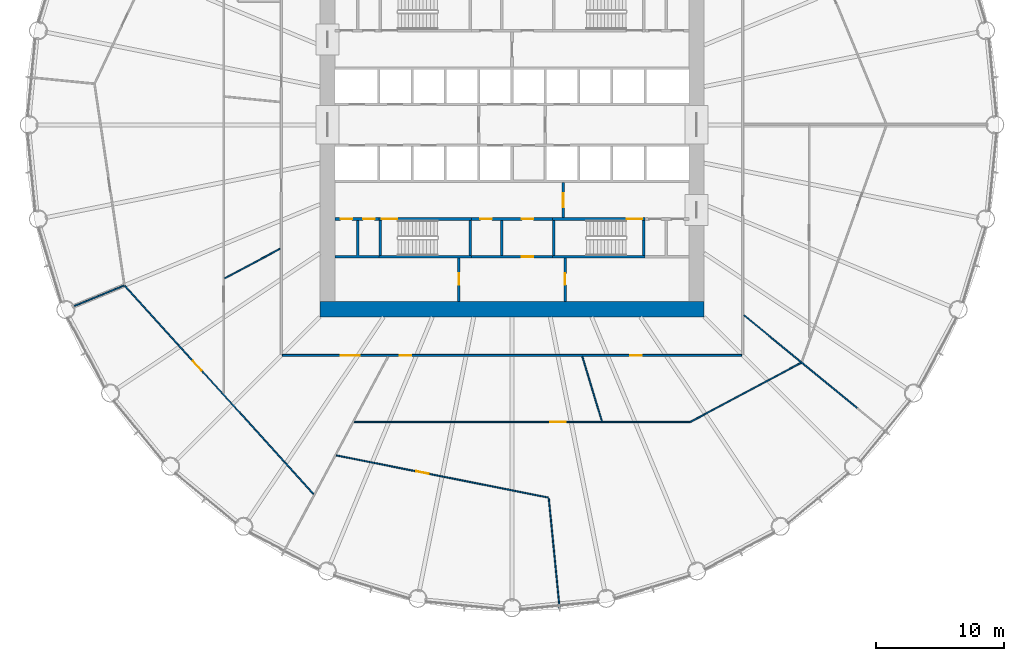
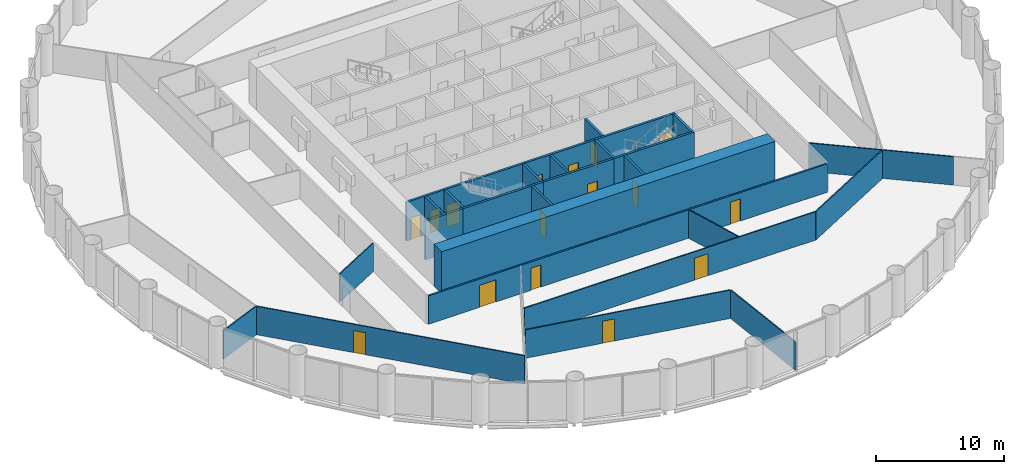
# One storey, part 10 of 15: 27 walls, 16 doors, 16 openings.
"""IFC4 building model written with IfcOpenShell, lengths in metres."""

from ifc_helpers import new_model, si_unit, direction, frame, frame_2d, origin, place, context, subcontext, project, spatial, polyline, rectangle, outline, extrude, material, layer, layer_set, type_object, element, fill, save


model = new_model("IFC4")

# Units and contexts
model_context = context("Model", 3, precision=1e-05, world=origin(), true_north=direction((0.0, 1.0)))
body_context = subcontext(model_context, "Body", "Model", "MODEL_VIEW")
ifc_project = project(units=[si_unit("LENGTHUNIT", "METRE"), si_unit("AREAUNIT", "SQUARE_METRE"), si_unit("VOLUMEUNIT", "CUBIC_METRE"), si_unit("PLANEANGLEUNIT", "RADIAN"), si_unit("MASSUNIT", "GRAM", prefix="KILO")], contexts=[model_context])

# Site, building, storey
site_placement = place(None, origin())
site = spatial("IfcSite", under=ifc_project, at=site_placement, CompositionType="ELEMENT")
building_placement = place(site_placement, origin())
building = spatial("IfcBuilding", under=site, at=building_placement, Name="Corvane Civic Tower", CompositionType="ELEMENT")
storey_placement = place(building_placement, frame((0.0, 0.0, 57.0)))
storey = spatial("IfcBuildingStorey", under=building, at=storey_placement, Name="L12", CompositionType="ELEMENT", Elevation=57.0)

# Wall
ifc_material_1 = material(Name="Concrete C80/95", Category="concrete")
ifc_layer_1 = layer(ifc_material_1, 1.199951171875)
ifc_layer_set_1 = layer_set([ifc_layer_1], Name="Concrete C80/95")
wall_type_1 = type_object("IfcWallType", Name="CORE WALL 1200 C80/95", PredefinedType="SHEAR", material=ifc_layer_set_1)
wall_1_placement = place(storey_placement, frame((-15.0, -14.39990234375, 0.0), z_axis=(0.0, 0.0, 1.0), x_axis=(1.0, 0.0, 0.0)))
element("IfcWall", 1, at=wall_1_placement, inside=storey, type_object=wall_type_1, Name="W-L12-core-S", PredefinedType="SHEAR", context=body_context, shape_type="SweptSolid", body=[
    extrude(rectangle(XDim=30.0, YDim=1.199951171875, at=frame_2d((15.0, 0.0))), origin(), (0.0, 0.0, 1.0), 4.0),
])

# Wall, opening, door
ifc_material_2 = material(Name="Concrete C30/37", Category="concrete")
ifc_layer_2 = layer(ifc_material_2, 0.199951171875)
ifc_layer_set_2 = layer_set([ifc_layer_2], Name="Concrete C30/37")
wall_type_2 = type_object("IfcWallType", Name="CR-WALL-200", PredefinedType="PARTITIONING", material=ifc_layer_set_2)
wall_2_placement = place(storey_placement, frame((-3.14990234375, -10.300048828125, 0.0), z_axis=(0.0, 0.0, 1.0), x_axis=(1.0, 0.0, 0.0)))
wall_2 = element("IfcWall", 2, at=wall_2_placement, inside=storey, type_object=wall_type_2, Name="L12 partition wall", PredefinedType="PARTITIONING", context=body_context, shape_type="SweptSolid", body=[
    extrude(rectangle(XDim=6.2998046875, YDim=0.199951171875, at=frame_2d((3.14990234375, 0.0))), origin(), (0.0, 0.0, 1.0), 3.699951171875),
])
opening_1_placement = place(wall_2_placement, frame((3.925048828125, 0.0, 0.0)))
opening_1 = element("IfcOpeningElement", 3, at=opening_1_placement, cuts=wall_2, Name="Opening L12.C10", PredefinedType="OPENING", context=body_context, shape_type="SweptSolid", body=[
    extrude(rectangle(XDim=0.89990234375, YDim=2.10009765625, at=frame_2d((0.449951171875, 1.050048828125))), frame((0.0, 0.10986328125, 0.0), z_axis=(0.0, -1.0, 0.0), x_axis=(1.0, 0.0, 0.0)), (0.0, 0.0, 1.0), 0.219970703125),
])
ifc_material_3 = material(Name="Steel fire door leaf", Category="steel")
door_type_1 = type_object("IfcDoorType", Name="CR-DOOR-900", OperationType="SINGLE_SWING_LEFT", PredefinedType="DOOR", material=ifc_material_3)
door_1_placement = place(opening_1_placement, origin())
door_1 = element("IfcDoor", 4, at=door_1_placement, inside=storey, type_object=door_type_1, Name="L12 door", OperationType="SINGLE_SWING_LEFT", OverallHeight=2.10009765625, OverallWidth=0.89990234375, PredefinedType="DOOR", context=body_context, shape_type="SweptSolid", body=[
    extrude(rectangle(XDim=0.89990234375, YDim=2.10009765625, at=frame_2d((0.449951171875, 1.050048828125))), frame((0.0, 0.02490234375, 0.0), z_axis=(0.0, -1.0, 0.0), x_axis=(1.0, 0.0, 0.0)), (0.0, 0.0, 1.0), 0.050048828125),
])
fill(opening_1, door_1)

# Wall, openings, doors
wall_3_placement = place(storey_placement, frame((-13.800048828125, -7.35009765625, 0.0), z_axis=(0.0, 0.0, 1.0), x_axis=(1.0, 0.0, 0.0)))
wall_3 = element("IfcWall", 5, at=wall_3_placement, inside=storey, type_object=wall_type_2, Name="L12 core partition wall", PredefinedType="PARTITIONING", context=body_context, shape_type="SweptSolid", body=[
    extrude(rectangle(XDim=3.400146484375, YDim=0.199951171875, at=frame_2d((1.7001953125, 0.0))), origin(), (0.0, 0.0, 1.0), 3.699951171875),
])
opening_2_placement = place(wall_3_placement, frame((0.425048828125, 0.0, 0.0)))
opening_2 = element("IfcOpeningElement", 6, at=opening_2_placement, cuts=wall_3, Name="Opening L12.C14", PredefinedType="OPENING", context=body_context, shape_type="SweptSolid", body=[
    extrude(rectangle(XDim=0.89990234375, YDim=2.10009765625, at=frame_2d((0.449951171875, 1.050048828125))), frame((0.0, 0.10986328125, 0.0), z_axis=(0.0, -1.0, 0.0), x_axis=(1.0, 0.0, 0.0)), (0.0, 0.0, 1.0), 0.219970703125),
])
opening_3_placement = place(wall_3_placement, frame((2.175048828125, 0.0, 0.0)))
opening_3 = element("IfcOpeningElement", 7, at=opening_3_placement, cuts=wall_3, Name="Opening L12.C15", PredefinedType="OPENING", context=body_context, shape_type="SweptSolid", body=[
    extrude(rectangle(XDim=0.89990234375, YDim=2.10009765625, at=frame_2d((0.449951171875, 1.050048828125))), frame((0.0, 0.10986328125, 0.0), z_axis=(0.0, -1.0, 0.0), x_axis=(1.0, 0.0, 0.0)), (0.0, 0.0, 1.0), 0.219970703125),
])
door_2_placement = place(opening_2_placement, origin())
door_2 = element("IfcDoor", 8, at=door_2_placement, inside=storey, type_object=door_type_1, Name="L12 door", OperationType="SINGLE_SWING_LEFT", OverallHeight=2.10009765625, OverallWidth=0.89990234375, PredefinedType="DOOR", context=body_context, shape_type="SweptSolid", body=[
    extrude(rectangle(XDim=0.89990234375, YDim=2.10009765625, at=frame_2d((0.449951171875, 1.050048828125))), frame((0.0, 0.02490234375, 0.0), z_axis=(0.0, -1.0, 0.0), x_axis=(1.0, 0.0, 0.0)), (0.0, 0.0, 1.0), 0.050048828125),
])
fill(opening_2, door_2)
door_3_placement = place(opening_3_placement, origin())
door_3 = element("IfcDoor", 9, at=door_3_placement, inside=storey, type_object=door_type_1, Name="L12 door", OperationType="SINGLE_SWING_LEFT", OverallHeight=2.10009765625, OverallWidth=0.89990234375, PredefinedType="DOOR", context=body_context, shape_type="SweptSolid", body=[
    extrude(rectangle(XDim=0.89990234375, YDim=2.10009765625, at=frame_2d((0.449951171875, 1.050048828125))), frame((0.0, 0.02490234375, 0.0), z_axis=(0.0, -1.0, 0.0), x_axis=(1.0, 0.0, 0.0)), (0.0, 0.0, 1.0), 0.050048828125),
])
fill(opening_3, door_3)

wall_4_placement = place(storey_placement, frame((-3.14990234375, -7.35009765625, 0.0), z_axis=(0.0, 0.0, 1.0), x_axis=(1.0, 0.0, 0.0)))
wall_4 = element("IfcWall", 10, at=wall_4_placement, inside=storey, type_object=wall_type_2, Name="L12 core partition wall", PredefinedType="PARTITIONING", context=body_context, shape_type="SweptSolid", body=[
    extrude(rectangle(XDim=6.2998046875, YDim=0.199951171875, at=frame_2d((3.14990234375, 0.0))), origin(), (0.0, 0.0, 1.0), 3.699951171875),
])
opening_4_placement = place(wall_4_placement, frame((0.675048828125, 0.0, 0.0)))
opening_4 = element("IfcOpeningElement", 11, at=opening_4_placement, cuts=wall_4, Name="Opening L12.C04", PredefinedType="OPENING", context=body_context, shape_type="SweptSolid", body=[
    extrude(rectangle(XDim=0.89990234375, YDim=2.10009765625, at=frame_2d((0.449951171875, 1.050048828125))), frame((0.0, 0.10986328125, 0.0), z_axis=(0.0, -1.0, 0.0), x_axis=(1.0, 0.0, 0.0)), (0.0, 0.0, 1.0), 0.219970703125),
])
opening_5_placement = place(wall_4_placement, frame((3.925048828125, 0.0, 0.0)))
opening_5 = element("IfcOpeningElement", 12, at=opening_5_placement, cuts=wall_4, Name="Opening L12.C05", PredefinedType="OPENING", context=body_context, shape_type="SweptSolid", body=[
    extrude(rectangle(XDim=0.89990234375, YDim=2.10009765625, at=frame_2d((0.449951171875, 1.050048828125))), frame((0.0, 0.10986328125, 0.0), z_axis=(0.0, -1.0, 0.0), x_axis=(1.0, 0.0, 0.0)), (0.0, 0.0, 1.0), 0.219970703125),
])
door_4_placement = place(opening_4_placement, origin())
door_4 = element("IfcDoor", 13, at=door_4_placement, inside=storey, type_object=door_type_1, Name="L12 door", OperationType="SINGLE_SWING_LEFT", OverallHeight=2.10009765625, OverallWidth=0.89990234375, PredefinedType="DOOR", context=body_context, shape_type="SweptSolid", body=[
    extrude(rectangle(XDim=0.89990234375, YDim=2.10009765625, at=frame_2d((0.449951171875, 1.050048828125))), frame((0.0, 0.02490234375, 0.0), z_axis=(0.0, -1.0, 0.0), x_axis=(1.0, 0.0, 0.0)), (0.0, 0.0, 1.0), 0.050048828125),
])
fill(opening_4, door_4)
door_5_placement = place(opening_5_placement, origin())
door_5 = element("IfcDoor", 14, at=door_5_placement, inside=storey, type_object=door_type_1, Name="L12 door", OperationType="SINGLE_SWING_LEFT", OverallHeight=2.10009765625, OverallWidth=0.89990234375, PredefinedType="DOOR", context=body_context, shape_type="SweptSolid", body=[
    extrude(rectangle(XDim=0.89990234375, YDim=2.10009765625, at=frame_2d((0.449951171875, 1.050048828125))), frame((0.0, 0.02490234375, 0.0), z_axis=(0.0, -1.0, 0.0), x_axis=(1.0, 0.0, 0.0)), (0.0, 0.0, 1.0), 0.050048828125),
])
fill(opening_5, door_5)

# Wall, opening, door
wall_5_placement = place(storey_placement, frame((-4.14990234375, -13.800048828125, 0.0), z_axis=(0.0, 0.0, 1.0), x_axis=(0.0, 1.0, 0.0)))
wall_5 = element("IfcWall", 15, at=wall_5_placement, inside=storey, type_object=wall_type_2, Name="L12 partition wall", PredefinedType="PARTITIONING", context=body_context, shape_type="SweptSolid", body=[
    extrude(rectangle(XDim=3.400146484375, YDim=0.199951171875, at=frame_2d((1.7001953125, 0.0))), origin(), (0.0, 0.0, 1.0), 3.699951171875),
])
opening_6_placement = place(wall_5_placement, frame((1.300048828125, 0.0, 0.0)))
opening_6 = element("IfcOpeningElement", 16, at=opening_6_placement, cuts=wall_5, Name="Opening L12.C09", PredefinedType="OPENING", context=body_context, shape_type="SweptSolid", body=[
    extrude(rectangle(XDim=0.89990234375, YDim=2.10009765625, at=frame_2d((0.449951171875, 1.050048828125))), frame((0.0, 0.10986328125, 0.0), z_axis=(0.0, -1.0, 0.0), x_axis=(1.0, 0.0, 0.0)), (0.0, 0.0, 1.0), 0.219970703125),
])
door_6_placement = place(opening_6_placement, origin())
door_6 = element("IfcDoor", 17, at=door_6_placement, inside=storey, type_object=door_type_1, Name="L12 door", OperationType="SINGLE_SWING_LEFT", OverallHeight=2.10009765625, OverallWidth=0.89990234375, PredefinedType="DOOR", context=body_context, shape_type="SweptSolid", body=[
    extrude(rectangle(XDim=0.89990234375, YDim=2.10009765625, at=frame_2d((0.449951171875, 1.050048828125))), frame((0.0, 0.02490234375, 0.0), z_axis=(0.0, -1.0, 0.0), x_axis=(1.0, 0.0, 0.0)), (0.0, 0.0, 1.0), 0.050048828125),
])
fill(opening_6, door_6)

wall_6_placement = place(storey_placement, frame((4.0, -7.25, 0.0), z_axis=(0.0, 0.0, 1.0), x_axis=(0.0, 1.0, 0.0)))
wall_6 = element("IfcWall", 18, at=wall_6_placement, inside=storey, type_object=wall_type_2, Name="L12 core partition wall", PredefinedType="PARTITIONING", context=body_context, shape_type="SweptSolid", body=[
    extrude(rectangle(XDim=2.75, YDim=0.199951171875, at=frame_2d((1.375, 0.0))), origin(), (0.0, 0.0, 1.0), 3.699951171875),
])
opening_7_placement = place(wall_6_placement, frame((0.824951171875, 0.0, 0.0)))
opening_7 = element("IfcOpeningElement", 19, at=opening_7_placement, cuts=wall_6, Name="Opening L12.C27", PredefinedType="OPENING", context=body_context, shape_type="SweptSolid", body=[
    extrude(rectangle(XDim=1.10009765625, YDim=2.10009765625, at=frame_2d((0.550048828125, 1.050048828125))), frame((0.0, 0.10986328125, 0.0), z_axis=(0.0, -1.0, 0.0), x_axis=(1.0, 0.0, 0.0)), (0.0, 0.0, 1.0), 0.219970703125),
])
ifc_material_4 = material(Name="Steel fire door leaf", Category="steel")
door_type_2 = type_object("IfcDoorType", Name="CR-DOOR-FFL-1100", OperationType="SINGLE_SWING_LEFT", PredefinedType="DOOR", material=ifc_material_4)
door_7_placement = place(opening_7_placement, origin())
door_7 = element("IfcDoor", 20, at=door_7_placement, inside=storey, type_object=door_type_2, Name="L12 lobby door", OperationType="SINGLE_SWING_LEFT", OverallHeight=2.10009765625, OverallWidth=1.10009765625, PredefinedType="DOOR", context=body_context, shape_type="SweptSolid", body=[
    extrude(rectangle(XDim=1.10009765625, YDim=2.10009765625, at=frame_2d((0.550048828125, 1.050048828125))), frame((0.0, 0.02490234375, 0.0), z_axis=(0.0, -1.0, 0.0), x_axis=(1.0, 0.0, 0.0)), (0.0, 0.0, 1.0), 0.050048828125),
])
fill(opening_7, door_7)

wall_7_placement = place(storey_placement, frame((4.14990234375, -13.800048828125, 0.0), z_axis=(0.0, 0.0, 1.0), x_axis=(0.0, 1.0, 0.0)))
wall_7 = element("IfcWall", 21, at=wall_7_placement, inside=storey, type_object=wall_type_2, Name="L12 partition wall", PredefinedType="PARTITIONING", context=body_context, shape_type="SweptSolid", body=[
    extrude(rectangle(XDim=3.400146484375, YDim=0.199951171875, at=frame_2d((1.7001953125, 0.0))), origin(), (0.0, 0.0, 1.0), 3.699951171875),
])
opening_8_placement = place(wall_7_placement, frame((1.300048828125, 0.0, 0.0)))
opening_8 = element("IfcOpeningElement", 22, at=opening_8_placement, cuts=wall_7, Name="Opening L12.C11", PredefinedType="OPENING", context=body_context, shape_type="SweptSolid", body=[
    extrude(rectangle(XDim=0.89990234375, YDim=2.10009765625, at=frame_2d((0.449951171875, 1.050048828125))), frame((0.0, 0.10986328125, 0.0), z_axis=(0.0, -1.0, 0.0), x_axis=(1.0, 0.0, 0.0)), (0.0, 0.0, 1.0), 0.219970703125),
])
door_8_placement = place(opening_8_placement, origin())
door_8 = element("IfcDoor", 23, at=door_8_placement, inside=storey, type_object=door_type_1, Name="L12 door", OperationType="SINGLE_SWING_LEFT", OverallHeight=2.10009765625, OverallWidth=0.89990234375, PredefinedType="DOOR", context=body_context, shape_type="SweptSolid", body=[
    extrude(rectangle(XDim=0.89990234375, YDim=2.10009765625, at=frame_2d((0.449951171875, 1.050048828125))), frame((0.0, 0.02490234375, 0.0), z_axis=(0.0, -1.0, 0.0), x_axis=(1.0, 0.0, 0.0)), (0.0, 0.0, 1.0), 0.050048828125),
])
fill(opening_8, door_8)

# Walls
wall_8_placement = place(storey_placement, origin())
element("IfcWall", 24, at=wall_8_placement, inside=storey, type_object=wall_type_2, Name="L12 core partition wall", PredefinedType="PARTITIONING", context=body_context, shape_type="SweptSolid", body=[
    extrude(outline(polyline([(-12.14990234375, -7.449951171875), (-11.949951171875, -7.449951171875), (-11.949951171875, -10.199951171875), (-10.39990234375, -10.199951171875), (-10.39990234375, -10.39990234375), (-13.800048828125, -10.39990234375), (-13.800048828125, -10.199951171875), (-12.14990234375, -10.199951171875), (-12.14990234375, -7.449951171875)])), origin(), (0.0, 0.0, 1.0), 3.699951171875),
])
wall_9_placement = place(storey_placement, origin())
element("IfcWall", 25, at=wall_9_placement, inside=storey, type_object=wall_type_2, Name="L12 core partition wall", PredefinedType="PARTITIONING", context=body_context, shape_type="SweptSolid", body=[
    extrude(outline(polyline([(-0.699951171875, -10.199951171875), (-0.89990234375, -10.199951171875), (-0.89990234375, -7.449951171875), (-0.699951171875, -7.449951171875), (-0.699951171875, -10.199951171875)])), origin(), (0.0, 0.0, 1.0), 3.699951171875),
])
ifc_material_5 = material(Name="Plasterboard")
ifc_layer_3 = layer(ifc_material_5, 0.10009765625)
ifc_layer_set_3 = layer_set([ifc_layer_3], Name="Plasterboard")
wall_type_3 = type_object("IfcWallType", Name="Partition 100 plasterboard on studs", PredefinedType="PARTITIONING", material=ifc_layer_set_3)
wall_10_placement = place(storey_placement, frame((2.86962890625, -29.1357421875, 0.0), z_axis=(0.0, 0.0, 1.0), x_axis=(0.098012580456, -0.99518517577, 0.0)))
element("IfcWall", 26, at=wall_10_placement, inside=storey, type_object=wall_type_3, Name="Partition L12.001", PredefinedType="PARTITIONING", context=body_context, shape_type="SweptSolid", body=[
    extrude(rectangle(XDim=8.67333984375, YDim=0.10009765625, at=frame_2d((4.336669921875, 0.0))), origin(), (0.0, 0.0, 1.0), 2.699951171875),
])

# Wall, opening, door
wall_11_placement = place(storey_placement, frame((-13.71728515625, -25.80029296875, 0.0), z_axis=(0.0, 0.0, 1.0), x_axis=(0.980786622224, -0.195083576107, 0.0)))
wall_11 = element("IfcWall", 27, at=wall_11_placement, inside=storey, type_object=wall_type_3, Name="Partition L12.003", PredefinedType="PARTITIONING", context=body_context, shape_type="SweptSolid", body=[
    extrude(rectangle(XDim=16.87109375, YDim=0.10009765625, at=frame_2d((8.435546875, 0.0))), origin(), (0.0, 0.0, 1.0), 2.699951171875),
])
opening_9_placement = place(wall_11_placement, frame((6.35205078125, 0.0, 0.0)))
opening_9 = element("IfcOpeningElement", 28, at=opening_9_placement, cuts=wall_11, Name="Opening L12.002", PredefinedType="OPENING", context=body_context, shape_type="SweptSolid", body=[
    extrude(rectangle(XDim=1.0, YDim=2.10009765625, at=frame_2d((0.5, 1.050048828125))), frame((0.0, 0.06005859375, 0.0), z_axis=(0.0, -1.0, 0.0), x_axis=(1.0, 0.0, 0.0)), (0.0, 0.0, 1.0), 0.1201171875),
])
ifc_material_6 = material(Name="Timber", Category="wood")
door_type_3 = type_object("IfcDoorType", Name="Single door 1000", OperationType="NOTDEFINED", PredefinedType="DOOR", material=ifc_material_6)
door_9_placement = place(opening_9_placement, frame((1.0, 0.0, 0.0), z_axis=(0.0, 0.0, 1.0), x_axis=(-1.0, 0.0, 0.0)))
door_9 = element("IfcDoor", 29, at=door_9_placement, inside=storey, type_object=door_type_3, Name="Door L12.002", OperationType="SINGLE_SWING_RIGHT", OverallHeight=2.10009765625, OverallWidth=1.0, PredefinedType="DOOR", context=body_context, shape_type="SweptSolid", body=[
    extrude(rectangle(XDim=1.0, YDim=2.10009765625, at=frame_2d((0.5, 1.050048828125))), frame((0.0, 0.02490234375, 0.0), z_axis=(0.0, -1.0, 0.0), x_axis=(1.0, 0.0, 0.0)), (0.0, 0.0, 1.0), 0.050048828125),
])
fill(opening_9, door_9)

wall_12_placement = place(storey_placement, frame((-30.227783203125, -12.556640625, 0.0), z_axis=(0.0, 0.0, 1.0), x_axis=(0.67156235145, -0.740948046839, 0.0)))
wall_12 = element("IfcWall", 30, at=wall_12_placement, inside=storey, type_object=wall_type_3, Name="Partition L12.004", PredefinedType="PARTITIONING", context=body_context, shape_type="SweptSolid", body=[
    extrude(rectangle(XDim=21.9560546875, YDim=0.10009765625, at=frame_2d((10.97802734375, 0.0))), origin(), (0.0, 0.0, 1.0), 2.699951171875),
])
opening_10_placement = place(wall_12_placement, frame((7.940185546875, 0.0, 0.0)))
opening_10 = element("IfcOpeningElement", 31, at=opening_10_placement, cuts=wall_12, Name="Opening L12.008", PredefinedType="OPENING", context=body_context, shape_type="SweptSolid", body=[
    extrude(rectangle(XDim=1.0, YDim=2.10009765625, at=frame_2d((0.5, 1.050048828125))), frame((0.0, 0.06005859375, 0.0), z_axis=(0.0, -1.0, 0.0), x_axis=(1.0, 0.0, 0.0)), (0.0, 0.0, 1.0), 0.1201171875),
])
door_10_placement = place(opening_10_placement, frame((1.0, 0.0, 0.0), z_axis=(0.0, 0.0, 1.0), x_axis=(-1.0, 0.0, 0.0)))
door_10 = element("IfcDoor", 32, at=door_10_placement, inside=storey, type_object=door_type_3, Name="Door L12.008", OperationType="SINGLE_SWING_RIGHT", OverallHeight=2.10009765625, OverallWidth=1.0, PredefinedType="DOOR", context=body_context, shape_type="SweptSolid", body=[
    extrude(rectangle(XDim=1.0, YDim=2.10009765625, at=frame_2d((0.5, 1.050048828125))), frame((0.0, 0.02490234375, 0.0), z_axis=(0.0, -1.0, 0.0), x_axis=(1.0, 0.0, 0.0)), (0.0, 0.0, 1.0), 0.050048828125),
])
fill(opening_10, door_10)

wall_13_placement = place(storey_placement, frame((-12.317138671875, -23.199951171875, 0.0), z_axis=(0.0, 0.0, 1.0), x_axis=(1.0, 0.0, 0.0)))
wall_13 = element("IfcWall", 33, at=wall_13_placement, inside=storey, type_object=wall_type_3, Name="Partition L12.006", PredefinedType="PARTITIONING", context=body_context, shape_type="SweptSolid", body=[
    extrude(rectangle(XDim=26.20654296875, YDim=0.10009765625, at=frame_2d((13.103271484375, 0.0))), origin(), (0.0, 0.0, 1.0), 2.699951171875),
])
opening_11_placement = place(wall_13_placement, frame((15.31494140625, 0.0, 0.0)))
opening_11 = element("IfcOpeningElement", 34, at=opening_11_placement, cuts=wall_13, Name="Opening L12.004", PredefinedType="OPENING", context=body_context, shape_type="SweptSolid", body=[
    extrude(rectangle(XDim=1.199951171875, YDim=2.10009765625, at=frame_2d((0.60009765625, 1.050048828125))), frame((0.0, 0.06005859375, 0.0), z_axis=(0.0, -1.0, 0.0), x_axis=(1.0, 0.0, 0.0)), (0.0, 0.0, 1.0), 0.1201171875),
])
ifc_material_7 = material(Name="Timber", Category="wood")
door_type_4 = type_object("IfcDoorType", Name="Double door 1200", OperationType="NOTDEFINED", PredefinedType="DOOR", material=ifc_material_7)
door_11_placement = place(opening_11_placement, frame((1.199951171875, 0.0, 0.0), z_axis=(0.0, 0.0, 1.0), x_axis=(-1.0, 0.0, 0.0)))
door_11 = element("IfcDoor", 35, at=door_11_placement, inside=storey, type_object=door_type_4, Name="Door L12.004", OperationType="DOUBLE_DOOR_SINGLE_SWING", OverallHeight=2.10009765625, OverallWidth=1.199951171875, PredefinedType="DOOR", context=body_context, shape_type="SweptSolid", body=[
    extrude(rectangle(XDim=1.199951171875, YDim=2.10009765625, at=frame_2d((0.60009765625, 1.050048828125))), frame((0.0, 0.02490234375, 0.0), z_axis=(0.0, -1.0, 0.0), x_axis=(1.0, 0.0, 0.0)), (0.0, 0.0, 1.0), 0.050048828125),
])
fill(opening_11, door_11)

# Walls
wall_14_placement = place(storey_placement, frame((13.9130859375, -23.194091796875, 0.0), z_axis=(0.0, 0.0, 1.0), x_axis=(0.88192128868, 0.471396691305, 0.0)))
element("IfcWall", 36, at=wall_14_placement, inside=storey, type_object=wall_type_3, Name="Partition L12.007", PredefinedType="PARTITIONING", context=body_context, shape_type="SweptSolid", body=[
    extrude(rectangle(XDim=9.778076171875, YDim=0.10009765625, at=frame_2d((4.88916015625, 0.0))), origin(), (0.0, 0.0, 1.0), 2.699951171875),
])
wall_15_placement = place(storey_placement, frame((5.4873046875, -18.089599609375, 0.0), z_axis=(0.0, 0.0, 1.0), x_axis=(0.290302940199, -0.956934795538, 0.0)))
element("IfcWall", 37, at=wall_15_placement, inside=storey, type_object=wall_type_3, Name="Partition L12.008", PredefinedType="PARTITIONING", context=body_context, shape_type="SweptSolid", body=[
    extrude(rectangle(XDim=5.27294921875, YDim=0.10009765625, at=frame_2d((2.636474609375, 0.0))), origin(), (0.0, 0.0, 1.0), 2.699951171875),
])
wall_16_placement = place(storey_placement, frame((18.106689453125, -14.85986328125, 0.0), z_axis=(0.0, 0.0, 1.0), x_axis=(0.773018264294, -0.634383766397, 0.0)))
element("IfcWall", 38, at=wall_16_placement, inside=storey, type_object=wall_type_3, Name="Partition L12.009", PredefinedType="PARTITIONING", context=body_context, shape_type="SweptSolid", body=[
    extrude(rectangle(XDim=11.42041015625, YDim=0.10009765625, at=frame_2d((5.710205078125, 0.0))), origin(), (0.0, 0.0, 1.0), 2.699951171875),
])
wall_17_placement = place(storey_placement, frame((-34.17431640625, -14.155517578125, 0.0), z_axis=(0.0, 0.0, 1.0), x_axis=(0.923864757577, 0.382719100265, 0.0)))
element("IfcWall", 39, at=wall_17_placement, inside=storey, type_object=wall_type_3, Name="Partition L12.016", PredefinedType="PARTITIONING", context=body_context, shape_type="SweptSolid", body=[
    extrude(rectangle(XDim=4.20703125, YDim=0.10009765625, at=frame_2d((2.103515625, 0.0))), origin(), (0.0, 0.0, 1.0), 2.699951171875),
])
wall_18_placement = place(storey_placement, frame((-22.426513671875, -11.9873046875, 0.0), z_axis=(0.0, 0.0, 1.0), x_axis=(0.881906349881, 0.47142463877, 0.0)))
element("IfcWall", 40, at=wall_18_placement, inside=storey, type_object=wall_type_3, Name="Partition L12.018", PredefinedType="PARTITIONING", context=body_context, shape_type="SweptSolid", body=[
    extrude(rectangle(XDim=4.907470703125, YDim=0.10009765625, at=frame_2d((2.45361328125, 0.0))), origin(), (0.0, 0.0, 1.0), 2.699951171875),
])

# Wall, opening, door
ifc_material_8 = material(Name="Concrete C50/60", Category="concrete")
ifc_layer_4 = layer(ifc_material_8, 0.199951171875)
ifc_layer_set_4 = layer_set([ifc_layer_4], Name="Concrete C50/60")
wall_type_4 = type_object("IfcWallType", Name="ST-WALL-200", PredefinedType="SHEAR", material=ifc_layer_set_4)
wall_19_placement = place(storey_placement, frame((-10.39990234375, -7.35009765625, 0.0), z_axis=(0.0, 0.0, 1.0), x_axis=(1.0, 0.0, 0.0)))
wall_19 = element("IfcWall", 41, at=wall_19_placement, inside=storey, type_object=wall_type_4, Name="L12 stair enclosure wall", PredefinedType="SHEAR", context=body_context, shape_type="SweptSolid", body=[
    extrude(rectangle(XDim=7.25, YDim=0.199951171875, at=frame_2d((3.625, 0.0))), origin(), (0.0, 0.0, 1.0), 3.699951171875),
])
opening_12_placement = place(wall_19_placement, frame((0.25, 0.0, 0.0)))
opening_12 = element("IfcOpeningElement", 42, at=opening_12_placement, cuts=wall_19, Name="Opening L12.C23", PredefinedType="OPENING", context=body_context, shape_type="SweptSolid", body=[
    extrude(rectangle(XDim=1.199951171875, YDim=2.10009765625, at=frame_2d((0.60009765625, 1.050048828125))), frame((0.0, 0.10986328125, 0.0), z_axis=(0.0, -1.0, 0.0), x_axis=(1.0, 0.0, 0.0)), (0.0, 0.0, 1.0), 0.219970703125),
])
ifc_material_9 = material(Name="Steel fire door leaf", Category="steel")
door_type_5 = type_object("IfcDoorType", Name="ST-DOOR-1200", OperationType="SINGLE_SWING_RIGHT", PredefinedType="DOOR", material=ifc_material_9)
door_12_placement = place(opening_12_placement, origin())
door_12 = element("IfcDoor", 43, at=door_12_placement, inside=storey, type_object=door_type_5, Name="L12 stair door", OperationType="SINGLE_SWING_RIGHT", OverallHeight=2.10009765625, OverallWidth=1.199951171875, PredefinedType="DOOR", context=body_context, shape_type="SweptSolid", body=[
    extrude(rectangle(XDim=1.199951171875, YDim=2.10009765625, at=frame_2d((0.60009765625, 1.050048828125))), frame((0.0, 0.02490234375, 0.0), z_axis=(0.0, -1.0, 0.0), x_axis=(1.0, 0.0, 0.0)), (0.0, 0.0, 1.0), 0.050048828125),
])
fill(opening_12, door_12)

wall_20_placement = place(storey_placement, frame((3.14990234375, -7.35009765625, 0.0), z_axis=(0.0, 0.0, 1.0), x_axis=(1.0, 0.0, 0.0)))
wall_20 = element("IfcWall", 44, at=wall_20_placement, inside=storey, type_object=wall_type_4, Name="L12 stair enclosure wall", PredefinedType="SHEAR", context=body_context, shape_type="SweptSolid", body=[
    extrude(rectangle(XDim=7.25, YDim=0.199951171875, at=frame_2d((3.625, 0.0))), origin(), (0.0, 0.0, 1.0), 3.699951171875),
])
opening_13_placement = place(wall_20_placement, frame((5.800048828125, 0.0, 0.0)))
opening_13 = element("IfcOpeningElement", 45, at=opening_13_placement, cuts=wall_20, Name="Opening L12.C22", PredefinedType="OPENING", context=body_context, shape_type="SweptSolid", body=[
    extrude(rectangle(XDim=1.199951171875, YDim=2.10009765625, at=frame_2d((0.60009765625, 1.050048828125))), frame((0.0, 0.10986328125, 0.0), z_axis=(0.0, -1.0, 0.0), x_axis=(1.0, 0.0, 0.0)), (0.0, 0.0, 1.0), 0.219970703125),
])
door_13_placement = place(opening_13_placement, origin())
door_13 = element("IfcDoor", 46, at=door_13_placement, inside=storey, type_object=door_type_5, Name="L12 stair door", OperationType="SINGLE_SWING_RIGHT", OverallHeight=2.10009765625, OverallWidth=1.199951171875, PredefinedType="DOOR", context=body_context, shape_type="SweptSolid", body=[
    extrude(rectangle(XDim=1.199951171875, YDim=2.10009765625, at=frame_2d((0.60009765625, 1.050048828125))), frame((0.0, 0.02490234375, 0.0), z_axis=(0.0, -1.0, 0.0), x_axis=(1.0, 0.0, 0.0)), (0.0, 0.0, 1.0), 0.050048828125),
])
fill(opening_13, door_13)

# Walls
wall_21_placement = place(storey_placement, origin())
element("IfcWall", 47, at=wall_21_placement, inside=storey, type_object=wall_type_4, Name="L12 stair enclosure wall", PredefinedType="SHEAR", context=body_context, shape_type="SweptSolid", body=[
    extrude(outline(polyline([(-3.14990234375, -10.199951171875), (-3.14990234375, -10.39990234375), (-10.39990234375, -10.39990234375), (-10.39990234375, -10.199951171875), (-3.14990234375, -10.199951171875)])), origin(), (0.0, 0.0, 1.0), 3.699951171875),
])
wall_22_placement = place(storey_placement, origin())
element("IfcWall", 48, at=wall_22_placement, inside=storey, type_object=wall_type_4, Name="L12 stair enclosure wall", PredefinedType="SHEAR", context=body_context, shape_type="SweptSolid", body=[
    extrude(outline(polyline([(10.39990234375, -10.39990234375), (3.14990234375, -10.39990234375), (3.14990234375, -10.199951171875), (10.39990234375, -10.199951171875), (10.39990234375, -10.39990234375)])), origin(), (0.0, 0.0, 1.0), 3.699951171875),
])
wall_23_placement = place(storey_placement, origin())
element("IfcWall", 49, at=wall_23_placement, inside=storey, type_object=wall_type_4, Name="L12 stair enclosure wall", PredefinedType="SHEAR", context=body_context, shape_type="SweptSolid", body=[
    extrude(outline(polyline([(-3.14990234375, -7.449951171875), (-3.14990234375, -10.199951171875), (-3.35009765625, -10.199951171875), (-3.35009765625, -7.449951171875), (-3.14990234375, -7.449951171875)])), origin(), (0.0, 0.0, 1.0), 3.699951171875),
])
wall_24_placement = place(storey_placement, origin())
element("IfcWall", 50, at=wall_24_placement, inside=storey, type_object=wall_type_4, Name="L12 stair enclosure wall", PredefinedType="SHEAR", context=body_context, shape_type="SweptSolid", body=[
    extrude(outline(polyline([(3.35009765625, -7.449951171875), (3.35009765625, -10.199951171875), (3.14990234375, -10.199951171875), (3.14990234375, -7.449951171875), (3.35009765625, -7.449951171875)])), origin(), (0.0, 0.0, 1.0), 3.699951171875),
])
wall_25_placement = place(storey_placement, origin())
element("IfcWall", 51, at=wall_25_placement, inside=storey, type_object=wall_type_4, Name="L12 stair enclosure wall", PredefinedType="SHEAR", context=body_context, shape_type="SweptSolid", body=[
    extrude(outline(polyline([(-10.199951171875, -7.449951171875), (-10.199951171875, -10.199951171875), (-10.39990234375, -10.199951171875), (-10.39990234375, -7.449951171875), (-10.199951171875, -7.449951171875)])), origin(), (0.0, 0.0, 1.0), 3.699951171875),
])
wall_26_placement = place(storey_placement, origin())
element("IfcWall", 52, at=wall_26_placement, inside=storey, type_object=wall_type_4, Name="L12 stair enclosure wall", PredefinedType="SHEAR", context=body_context, shape_type="SweptSolid", body=[
    extrude(outline(polyline([(10.39990234375, -7.449951171875), (10.39990234375, -10.199951171875), (10.199951171875, -10.199951171875), (10.199951171875, -7.449951171875), (10.39990234375, -7.449951171875)])), origin(), (0.0, 0.0, 1.0), 3.699951171875),
])

# Wall, openings, doors
ifc_material_10 = material(Name="Plasterboard")
ifc_layer_5 = layer(ifc_material_10, 0.14990234375)
ifc_layer_set_5 = layer_set([ifc_layer_5], Name="Plasterboard")
wall_type_5 = type_object("IfcWallType", Name="Tenancy wall 150 EI 60", PredefinedType="PARTITIONING", material=ifc_layer_set_5)
wall_27_placement = place(storey_placement, frame((-17.925048828125, -18.0, 0.0), z_axis=(0.0, 0.0, 1.0), x_axis=(1.0, 0.0, 0.0)))
wall_27 = element("IfcWall", 53, at=wall_27_placement, inside=storey, type_object=wall_type_5, Name="Partition L12.012", PredefinedType="PARTITIONING", context=body_context, shape_type="SweptSolid", body=[
    extrude(rectangle(XDim=35.85009765625, YDim=0.14990234375, at=frame_2d((17.925048828125, 0.0))), origin(), (0.0, 0.0, 1.0), 2.699951171875),
])
opening_14_placement = place(wall_27_placement, frame((27.14501953125, 0.0, 0.0)))
opening_14 = element("IfcOpeningElement", 54, at=opening_14_placement, cuts=wall_27, Name="Opening L12.006", PredefinedType="OPENING", context=body_context, shape_type="SweptSolid", body=[
    extrude(rectangle(XDim=0.89990234375, YDim=2.10009765625, at=frame_2d((0.449951171875, 1.050048828125))), frame((0.0, 0.0849609375, 0.0), z_axis=(0.0, -1.0, 0.0), x_axis=(1.0, 0.0, 0.0)), (0.0, 0.0, 1.0), 0.169921875),
])
opening_15_placement = place(wall_27_placement, frame((9.177490234375, 0.0, 0.0)))
opening_15 = element("IfcOpeningElement", 55, at=opening_15_placement, cuts=wall_27, Name="Opening L12.007", PredefinedType="OPENING", context=body_context, shape_type="SweptSolid", body=[
    extrude(rectangle(XDim=0.89990234375, YDim=2.10009765625, at=frame_2d((0.449951171875, 1.050048828125))), frame((0.0, 0.0849609375, 0.0), z_axis=(0.0, -1.0, 0.0), x_axis=(1.0, 0.0, 0.0)), (0.0, 0.0, 1.0), 0.169921875),
])
opening_16_placement = place(wall_27_placement, frame((4.5517578125, 0.0, 0.0)))
opening_16 = element("IfcOpeningElement", 56, at=opening_16_placement, cuts=wall_27, Name="Opening L12.012", PredefinedType="OPENING", context=body_context, shape_type="SweptSolid", body=[
    extrude(rectangle(XDim=1.5, YDim=2.10009765625, at=frame_2d((0.75, 1.050048828125))), frame((0.0, 0.0849609375, 0.0), z_axis=(0.0, -1.0, 0.0), x_axis=(1.0, 0.0, 0.0)), (0.0, 0.0, 1.0), 0.169921875),
])
ifc_material_11 = material(Name="Steel and timber", Category="steel")
door_type_6 = type_object("IfcDoorType", Name="Fire door FD30S 900", OperationType="NOTDEFINED", PredefinedType="DOOR", material=ifc_material_11)
door_14_placement = place(opening_14_placement, frame((0.89990234375, 0.0, 0.0), z_axis=(0.0, 0.0, 1.0), x_axis=(-1.0, 0.0, 0.0)))
door_14 = element("IfcDoor", 57, at=door_14_placement, inside=storey, type_object=door_type_6, Name="Door L12.006", OperationType="SINGLE_SWING_LEFT", OverallHeight=2.10009765625, OverallWidth=0.89990234375, PredefinedType="DOOR", context=body_context, shape_type="SweptSolid", body=[
    extrude(rectangle(XDim=0.89990234375, YDim=2.10009765625, at=frame_2d((0.449951171875, 1.050048828125))), frame((0.0, 0.02490234375, 0.0), z_axis=(0.0, -1.0, 0.0), x_axis=(1.0, 0.0, 0.0)), (0.0, 0.0, 1.0), 0.050048828125),
])
fill(opening_14, door_14)
door_15_placement = place(opening_15_placement, frame((0.89990234375, 0.0, 0.0), z_axis=(0.0, 0.0, 1.0), x_axis=(-1.0, 0.0, 0.0)))
door_15 = element("IfcDoor", 58, at=door_15_placement, inside=storey, type_object=door_type_6, Name="Door L12.007", OperationType="SINGLE_SWING_LEFT", OverallHeight=2.10009765625, OverallWidth=0.89990234375, PredefinedType="DOOR", context=body_context, shape_type="SweptSolid", body=[
    extrude(rectangle(XDim=0.89990234375, YDim=2.10009765625, at=frame_2d((0.449951171875, 1.050048828125))), frame((0.0, 0.02490234375, 0.0), z_axis=(0.0, -1.0, 0.0), x_axis=(1.0, 0.0, 0.0)), (0.0, 0.0, 1.0), 0.050048828125),
])
fill(opening_15, door_15)
ifc_material_12 = material(Name="Steel and timber", Category="steel")
door_type_7 = type_object("IfcDoorType", Name="Fire door FD60 double 1500", OperationType="NOTDEFINED", PredefinedType="DOOR", material=ifc_material_12)
door_16_placement = place(opening_16_placement, frame((1.5, 0.0, 0.0), z_axis=(0.0, 0.0, 1.0), x_axis=(-1.0, 0.0, 0.0)))
door_16 = element("IfcDoor", 59, at=door_16_placement, inside=storey, type_object=door_type_7, Name="Door L12.012", OperationType="DOUBLE_DOOR_SINGLE_SWING", OverallHeight=2.10009765625, OverallWidth=1.5, PredefinedType="DOOR", context=body_context, shape_type="SweptSolid", body=[
    extrude(rectangle(XDim=1.5, YDim=2.10009765625, at=frame_2d((0.75, 1.050048828125))), frame((0.0, 0.02490234375, 0.0), z_axis=(0.0, -1.0, 0.0), x_axis=(1.0, 0.0, 0.0)), (0.0, 0.0, 1.0), 0.050048828125),
])
fill(opening_16, door_16)

save(model, "model.ifc")
